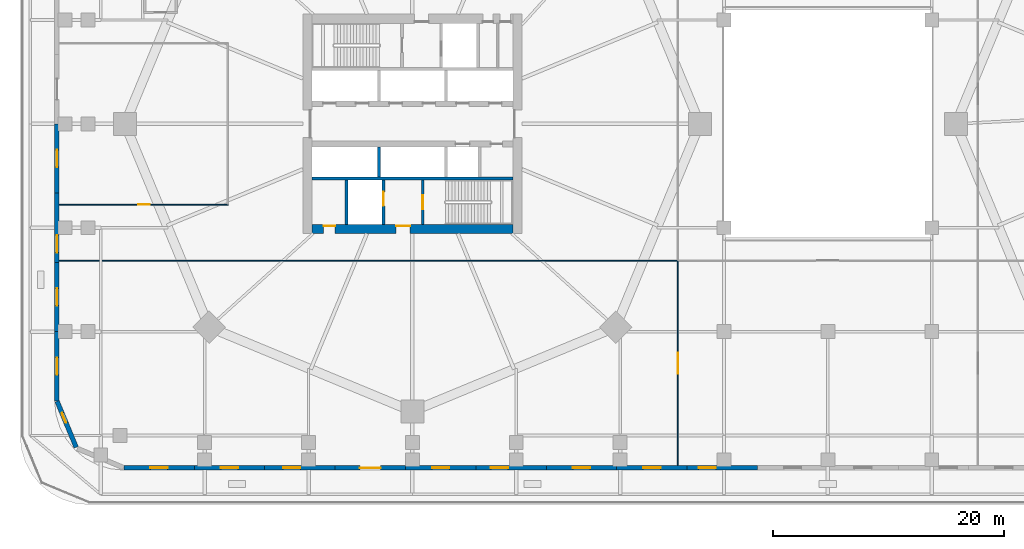
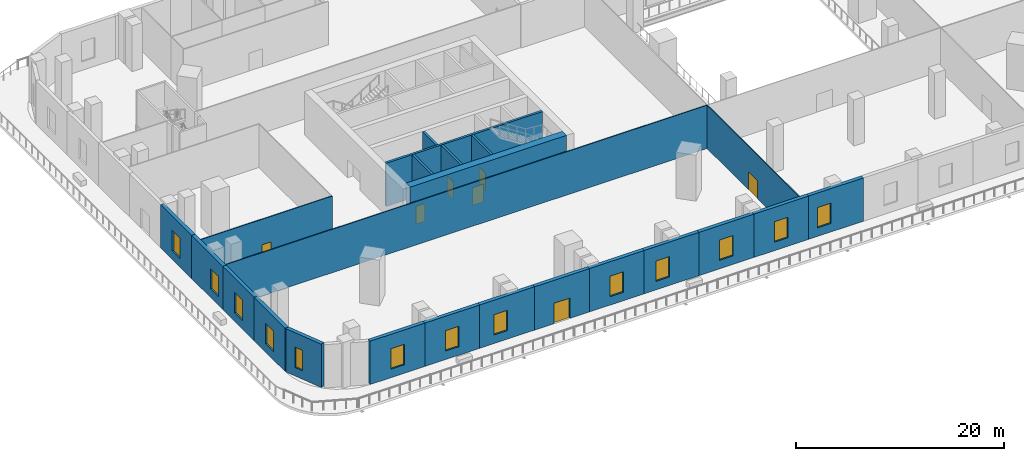
# One storey, part 4 of 19: 23 walls, 13 windows, 7 doors, 20 openings.
"""IFC4 building model written with IfcOpenShell, lengths in metres."""

from ifc_helpers import new_model, si_unit, direction, frame, frame_2d, origin, place, context, subcontext, project, spatial, rectangle, extrude, material, layer, layer_set, type_object, element, fill, save


model = new_model("IFC4")

# Units and contexts
model_context = context("Model", 3, precision=1e-05, world=origin(), true_north=direction((0.0, 1.0)))
body_context = subcontext(model_context, "Body", "Model", "MODEL_VIEW")
ifc_project = project(units=[si_unit("LENGTHUNIT", "METRE"), si_unit("AREAUNIT", "SQUARE_METRE"), si_unit("VOLUMEUNIT", "CUBIC_METRE"), si_unit("PLANEANGLEUNIT", "RADIAN"), si_unit("MASSUNIT", "GRAM", prefix="KILO")], contexts=[model_context])

# Site, building, storey
site_placement = place(None, origin())
site = spatial("IfcSite", under=ifc_project, at=site_placement, CompositionType="ELEMENT")
building_placement = place(site_placement, origin())
building = spatial("IfcBuilding", under=site, at=building_placement, Name="Ogive Gate Towers", CompositionType="ELEMENT")
storey_placement = place(building_placement, frame((0.0, 0.0, 12.60009765625)))
storey = spatial("IfcBuildingStorey", under=building, at=storey_placement, Name="L02", CompositionType="ELEMENT", Elevation=12.60009765625)

# Wall, openings, doors
ifc_material_1 = material(Name="Concrete C60/75", Category="concrete")
ifc_layer_1 = layer(ifc_material_1, 0.800048828125)
ifc_layer_set_1 = layer_set([ifc_layer_1], Name="Core wall 800 mm")
wall_type_1 = type_object("IfcWallType", Name="Core wall 800 mm", PredefinedType="SHEAR", material=ifc_layer_set_1)
wall_1_placement = place(storey_placement, frame((-44.699951171875, -9.10009765625, 0.0), z_axis=(0.0, 0.0, 1.0), x_axis=(1.0, 0.0, 0.0)))
wall_1 = element("IfcWall", 1, at=wall_1_placement, inside=storey, type_object=wall_type_1, Name="T1 L02 Core wall 800 mm", PredefinedType="SHEAR", context=body_context, shape_type="SweptSolid", body=[
    extrude(rectangle(XDim=17.39990234375, YDim=0.800048828125, at=frame_2d((8.699951171875, 0.0))), origin(), (0.0, 0.0, 1.0), 5.099853515625),
])
opening_1_placement = place(wall_1_placement, frame((7.300048828125, 0.0, 0.0)))
opening_1 = element("IfcOpeningElement", 2, at=opening_1_placement, cuts=wall_1, Name="Opening KD-T1-L02-16", PredefinedType="OPENING", context=body_context, shape_type="SweptSolid", body=[
    extrude(rectangle(XDim=1.199951171875, YDim=2.10009765625, at=frame_2d((0.60009765625, 1.050048828125))), frame((0.0, 0.41015625, 0.0), z_axis=(0.0, -1.0, 0.0), x_axis=(1.0, 0.0, 0.0)), (0.0, 0.0, 1.0), 0.820068359375),
])
opening_2_placement = place(wall_1_placement, frame((1.0, 0.0, 0.0)))
opening_2 = element("IfcOpeningElement", 3, at=opening_2_placement, cuts=wall_1, Name="Opening KD-T1-L02-19", PredefinedType="OPENING", context=body_context, shape_type="SweptSolid", body=[
    extrude(rectangle(XDim=1.0, YDim=2.10009765625, at=frame_2d((0.5, 1.050048828125))), frame((0.0, 0.41015625, 0.0), z_axis=(0.0, -1.0, 0.0), x_axis=(1.0, 0.0, 0.0)), (0.0, 0.0, 1.0), 0.820068359375),
])
ifc_material_2 = material(Name="Timber door", Category="wood")
door_type_1 = type_object("IfcDoorType", Name="Accessible WC door 1000 x 2100", OperationType="NOTDEFINED", PredefinedType="DOOR", material=ifc_material_2)
door_1_placement = place(opening_2_placement, origin())
door_1 = element("IfcDoor", 4, at=door_1_placement, inside=storey, type_object=door_type_1, Name="T1 L02 Core door", OperationType="SINGLE_SWING_RIGHT", OverallHeight=2.10009765625, OverallWidth=1.0, PredefinedType="DOOR", context=body_context, shape_type="SweptSolid", body=[
    extrude(rectangle(XDim=1.0, YDim=2.10009765625, at=frame_2d((0.5, 1.050048828125))), frame((0.0, 0.27490234375, 0.0), z_axis=(0.0, -1.0, 0.0), x_axis=(1.0, 0.0, 0.0)), (0.0, 0.0, 1.0), 0.050048828125),
])
fill(opening_2, door_1)
ifc_material_3 = material(Name="Steel fire door", Category="steel")
door_type_2 = type_object("IfcDoorType", Name="Core door FD60S 1200 x 2100", OperationType="NOTDEFINED", PredefinedType="DOOR", material=ifc_material_3)
door_2_placement = place(opening_1_placement, origin())
door_2 = element("IfcDoor", 5, at=door_2_placement, inside=storey, type_object=door_type_2, Name="T1 L02 Fire-fighting lobby door", OperationType="SINGLE_SWING_LEFT", OverallHeight=2.10009765625, OverallWidth=1.199951171875, PredefinedType="DOOR", context=body_context, shape_type="SweptSolid", body=[
    extrude(rectangle(XDim=1.199951171875, YDim=2.10009765625, at=frame_2d((0.60009765625, 1.050048828125))), frame((0.0, 0.27490234375, 0.0), z_axis=(0.0, -1.0, 0.0), x_axis=(1.0, 0.0, 0.0)), (0.0, 0.0, 1.0), 0.050048828125),
])
fill(opening_1, door_2)

# Wall, opening, door
ifc_material_4 = material(Name="Gypsum board partition")
ifc_layer_2 = layer(ifc_material_4, 0.10009765625)
ifc_layer_set_2 = layer_set([ifc_layer_2], Name="Partition wall 100")
wall_type_2 = type_object("IfcWallType", Name="Partition wall 100", PredefinedType="PARTITIONING", material=ifc_layer_set_2)
wall_2_placement = place(storey_placement, frame((-13.0, -29.60009765625, 0.0), z_axis=(0.0, 0.0, 1.0), x_axis=(0.0, 1.0, 0.0)))
wall_2 = element("IfcWall", 6, at=wall_2_placement, inside=storey, type_object=wall_type_2, Name="L02 partition 052", PredefinedType="PARTITIONING", context=body_context, shape_type="SweptSolid", body=[
    extrude(rectangle(XDim=17.7001953125, YDim=0.10009765625, at=frame_2d((8.85009765625, 0.0))), origin(), (0.0, 0.0, 1.0), 5.099853515625),
])
opening_3_placement = place(wall_2_placement, frame((7.949951171875, 0.0, 0.0)))
opening_3 = element("IfcOpeningElement", 7, at=opening_3_placement, cuts=wall_2, Name="Opening PO172", PredefinedType="OPENING", context=body_context, shape_type="SweptSolid", body=[
    extrude(rectangle(XDim=1.800048828125, YDim=2.10009765625, at=frame_2d((0.89990234375, 1.050048828125))), frame((0.0, 0.06005859375, 0.0), z_axis=(0.0, -1.0, 0.0), x_axis=(1.0, 0.0, 0.0)), (0.0, 0.0, 1.0), 0.1201171875),
])
door_type_3 = type_object("IfcDoorType", Name="Double door 1800 x 2100", OperationType="NOTDEFINED", PredefinedType="DOOR", material=ifc_material_2)
door_3_placement = place(opening_3_placement, origin())
door_3 = element("IfcDoor", 8, at=door_3_placement, inside=storey, type_object=door_type_3, Name="Door PO172", OperationType="DOUBLE_DOOR_DOUBLE_SWING", OverallHeight=2.10009765625, OverallWidth=1.800048828125, PredefinedType="DOOR", context=body_context, shape_type="SweptSolid", body=[
    extrude(rectangle(XDim=1.800048828125, YDim=2.10009765625, at=frame_2d((0.89990234375, 1.050048828125))), frame((0.0, 0.02490234375, 0.0), z_axis=(0.0, -1.0, 0.0), x_axis=(1.0, 0.0, 0.0)), (0.0, 0.0, 1.0), 0.050048828125),
])
fill(opening_3, door_3)

# Wall
wall_3_placement = place(storey_placement, frame((-66.60009765625, -11.85009765625, 0.0), z_axis=(0.0, 0.0, 1.0), x_axis=(1.0, 0.0, 0.0)))
element("IfcWall", 9, at=wall_3_placement, inside=storey, type_object=wall_type_2, Name="L02 partition 054", PredefinedType="PARTITIONING", context=body_context, shape_type="SweptSolid", body=[
    extrude(rectangle(XDim=53.60009765625, YDim=0.10009765625, at=frame_2d((26.800048828125, 0.0))), origin(), (0.0, 0.0, 1.0), 5.099853515625),
])

# Wall, opening, door
wall_4_placement = place(storey_placement, frame((-66.60009765625, -7.0, 0.0), z_axis=(0.0, 0.0, 1.0), x_axis=(1.0, 0.0, 0.0)))
wall_4 = element("IfcWall", 10, at=wall_4_placement, inside=storey, type_object=wall_type_2, Name="L02 partition 058", PredefinedType="PARTITIONING", context=body_context, shape_type="SweptSolid", body=[
    extrude(rectangle(XDim=14.650146484375, YDim=0.10009765625, at=frame_2d((7.3251953125, 0.0))), origin(), (0.0, 0.0, 1.0), 5.099853515625),
])
opening_4_placement = place(wall_4_placement, frame((6.824951171875, 0.0, 0.0)))
opening_4 = element("IfcOpeningElement", 11, at=opening_4_placement, cuts=wall_4, Name="Opening PO174", PredefinedType="OPENING", context=body_context, shape_type="SweptSolid", body=[
    extrude(rectangle(XDim=1.0, YDim=2.10009765625, at=frame_2d((0.5, 1.050048828125))), frame((0.0, 0.06005859375, 0.0), z_axis=(0.0, -1.0, 0.0), x_axis=(1.0, 0.0, 0.0)), (0.0, 0.0, 1.0), 0.1201171875),
])
door_type_4 = type_object("IfcDoorType", Name="Door 1000 x 2100", OperationType="NOTDEFINED", PredefinedType="DOOR", material=ifc_material_2)
door_4_placement = place(opening_4_placement, origin())
door_4 = element("IfcDoor", 12, at=door_4_placement, inside=storey, type_object=door_type_4, Name="Door PO174", OperationType="SINGLE_SWING_RIGHT", OverallHeight=2.10009765625, OverallWidth=1.0, PredefinedType="DOOR", context=body_context, shape_type="SweptSolid", body=[
    extrude(rectangle(XDim=1.0, YDim=2.10009765625, at=frame_2d((0.5, 1.050048828125))), frame((0.0, 0.02490234375, 0.0), z_axis=(0.0, -1.0, 0.0), x_axis=(1.0, 0.0, 0.0)), (0.0, 0.0, 1.0), 0.050048828125),
])
fill(opening_4, door_4)

# Wall, opening, window
ifc_material_5 = material(Name="Precast concrete C40/50", Category="concrete")
ifc_layer_3 = layer(ifc_material_5, 0.39990234375)
ifc_layer_set_3 = layer_set([ifc_layer_3], Name="Podium wall 400")
wall_type_3 = type_object("IfcWallType", Name="Podium wall 400", PredefinedType="SOLIDWALL", material=ifc_layer_set_3)
wall_5_placement = place(storey_placement, frame((-66.800048828125, 0.0, 0.0), z_axis=(0.0, 0.0, 1.0), x_axis=(0.0, -1.0, 0.0)))
wall_5 = element("IfcWall", 13, at=wall_5_placement, inside=storey, type_object=wall_type_3, Name="Podium wall", PredefinedType="SOLIDWALL", context=body_context, shape_type="SweptSolid", body=[
    extrude(rectangle(XDim=6.0, YDim=0.39990234375, at=frame_2d((3.0, 0.0))), origin(), (0.0, 0.0, 1.0), 5.099853515625),
])
opening_5_placement = place(wall_5_placement, frame((2.25, 0.0, 1.0)))
opening_5 = element("IfcOpeningElement", 14, at=opening_5_placement, cuts=wall_5, Name="Opening WN2", PredefinedType="OPENING", context=body_context, shape_type="SweptSolid", body=[
    extrude(rectangle(XDim=1.5, YDim=2.39990234375, at=frame_2d((0.75, 1.199951171875))), frame((0.0, 0.2099609375, 0.0), z_axis=(0.0, -1.0, 0.0), x_axis=(1.0, 0.0, 0.0)), (0.0, 0.0, 1.0), 0.419921875),
])
ifc_material_6 = material(Name="Clear glass", Category="glass")
window_type_1 = type_object("IfcWindowType", Name="Podium window 1500 x 2400", PartitioningType="SINGLE_PANEL", PredefinedType="WINDOW", material=ifc_material_6)
window_1_placement = place(opening_5_placement, origin())
window_1 = element("IfcWindow", 15, at=window_1_placement, inside=storey, type_object=window_type_1, Name="Podium window", OverallHeight=2.39990234375, OverallWidth=1.5, PartitioningType="SINGLE_PANEL", PredefinedType="WINDOW", context=body_context, shape_type="SweptSolid", body=[
    extrude(rectangle(XDim=1.5, YDim=2.39990234375, at=frame_2d((0.75, 1.199951171875))), frame((0.0, 0.030029296875, 0.0), z_axis=(0.0, -1.0, 0.0), x_axis=(1.0, 0.0, 0.0)), (0.0, 0.0, 1.0), 0.06005859375),
])
fill(opening_5, window_1)

wall_6_placement = place(storey_placement, frame((-66.800048828125, -6.0, 0.0), z_axis=(0.0, 0.0, 1.0), x_axis=(0.0, -1.0, 0.0)))
wall_6 = element("IfcWall", 16, at=wall_6_placement, inside=storey, type_object=wall_type_3, Name="Podium wall", PredefinedType="SOLIDWALL", context=body_context, shape_type="SweptSolid", body=[
    extrude(rectangle(XDim=6.0, YDim=0.39990234375, at=frame_2d((3.0, 0.0))), origin(), (0.0, 0.0, 1.0), 5.099853515625),
])
opening_6_placement = place(wall_6_placement, frame((3.64990234375, 0.0, 1.0)))
opening_6 = element("IfcOpeningElement", 17, at=opening_6_placement, cuts=wall_6, Name="Opening WN2", PredefinedType="OPENING", context=body_context, shape_type="SweptSolid", body=[
    extrude(rectangle(XDim=1.5, YDim=2.39990234375, at=frame_2d((0.75, 1.199951171875))), frame((0.0, 0.2099609375, 0.0), z_axis=(0.0, -1.0, 0.0), x_axis=(1.0, 0.0, 0.0)), (0.0, 0.0, 1.0), 0.419921875),
])
window_2_placement = place(opening_6_placement, origin())
window_2 = element("IfcWindow", 18, at=window_2_placement, inside=storey, type_object=window_type_1, Name="Podium window", OverallHeight=2.39990234375, OverallWidth=1.5, PartitioningType="SINGLE_PANEL", PredefinedType="WINDOW", context=body_context, shape_type="SweptSolid", body=[
    extrude(rectangle(XDim=1.5, YDim=2.39990234375, at=frame_2d((0.75, 1.199951171875))), frame((0.0, 0.030029296875, 0.0), z_axis=(0.0, -1.0, 0.0), x_axis=(1.0, 0.0, 0.0)), (0.0, 0.0, 1.0), 0.06005859375),
])
fill(opening_6, window_2)

wall_7_placement = place(storey_placement, frame((-66.800048828125, -12.0, 0.0), z_axis=(0.0, 0.0, 1.0), x_axis=(0.0, -1.0, 0.0)))
wall_7 = element("IfcWall", 19, at=wall_7_placement, inside=storey, type_object=wall_type_3, Name="Podium wall", PredefinedType="SOLIDWALL", context=body_context, shape_type="SweptSolid", body=[
    extrude(rectangle(XDim=6.0, YDim=0.39990234375, at=frame_2d((3.0, 0.0))), origin(), (0.0, 0.0, 1.0), 5.099853515625),
])
opening_7_placement = place(wall_7_placement, frame((2.25, 0.0, 1.0)))
opening_7 = element("IfcOpeningElement", 20, at=opening_7_placement, cuts=wall_7, Name="Opening WN2", PredefinedType="OPENING", context=body_context, shape_type="SweptSolid", body=[
    extrude(rectangle(XDim=1.5, YDim=2.39990234375, at=frame_2d((0.75, 1.199951171875))), frame((0.0, 0.2099609375, 0.0), z_axis=(0.0, -1.0, 0.0), x_axis=(1.0, 0.0, 0.0)), (0.0, 0.0, 1.0), 0.419921875),
])
window_3_placement = place(opening_7_placement, origin())
window_3 = element("IfcWindow", 21, at=window_3_placement, inside=storey, type_object=window_type_1, Name="Podium window", OverallHeight=2.39990234375, OverallWidth=1.5, PartitioningType="SINGLE_PANEL", PredefinedType="WINDOW", context=body_context, shape_type="SweptSolid", body=[
    extrude(rectangle(XDim=1.5, YDim=2.39990234375, at=frame_2d((0.75, 1.199951171875))), frame((0.0, 0.030029296875, 0.0), z_axis=(0.0, -1.0, 0.0), x_axis=(1.0, 0.0, 0.0)), (0.0, 0.0, 1.0), 0.06005859375),
])
fill(opening_7, window_3)

wall_8_placement = place(storey_placement, frame((-66.800048828125, -18.0, 0.0), z_axis=(0.0, 0.0, 1.0), x_axis=(0.0, -1.0, 0.0)))
wall_8 = element("IfcWall", 22, at=wall_8_placement, inside=storey, type_object=wall_type_3, Name="Podium wall", PredefinedType="SOLIDWALL", context=body_context, shape_type="SweptSolid", body=[
    extrude(rectangle(XDim=6.0, YDim=0.39990234375, at=frame_2d((3.0, 0.0))), origin(), (0.0, 0.0, 1.0), 5.099853515625),
])
opening_8_placement = place(wall_8_placement, frame((2.25, 0.0, 1.0)))
opening_8 = element("IfcOpeningElement", 23, at=opening_8_placement, cuts=wall_8, Name="Opening WN2", PredefinedType="OPENING", context=body_context, shape_type="SweptSolid", body=[
    extrude(rectangle(XDim=1.5, YDim=2.39990234375, at=frame_2d((0.75, 1.199951171875))), frame((0.0, 0.2099609375, 0.0), z_axis=(0.0, -1.0, 0.0), x_axis=(1.0, 0.0, 0.0)), (0.0, 0.0, 1.0), 0.419921875),
])
window_4_placement = place(opening_8_placement, origin())
window_4 = element("IfcWindow", 24, at=window_4_placement, inside=storey, type_object=window_type_1, Name="Podium window", OverallHeight=2.39990234375, OverallWidth=1.5, PartitioningType="SINGLE_PANEL", PredefinedType="WINDOW", context=body_context, shape_type="SweptSolid", body=[
    extrude(rectangle(XDim=1.5, YDim=2.39990234375, at=frame_2d((0.75, 1.199951171875))), frame((0.0, 0.030029296875, 0.0), z_axis=(0.0, -1.0, 0.0), x_axis=(1.0, 0.0, 0.0)), (0.0, 0.0, 1.0), 0.06005859375),
])
fill(opening_8, window_4)

wall_9_placement = place(storey_placement, frame((-66.784912109375, -24.036865234375, 0.0), z_axis=(0.0, 0.0, 1.0), x_axis=(0.382743086333, -0.923854820772, 0.0)))
wall_9 = element("IfcWall", 25, at=wall_9_placement, inside=storey, type_object=wall_type_3, Name="Podium wall", PredefinedType="SOLIDWALL", context=body_context, shape_type="SweptSolid", body=[
    extrude(rectangle(XDim=4.31640625, YDim=0.39990234375, at=frame_2d((2.158203125, 0.0))), origin(), (0.0, 0.0, 1.0), 5.099853515625),
])
opening_9_placement = place(wall_9_placement, frame((1.1083984375, 0.0, 1.0)))
opening_9 = element("IfcOpeningElement", 26, at=opening_9_placement, cuts=wall_9, Name="Opening WN5", PredefinedType="OPENING", context=body_context, shape_type="SweptSolid", body=[
    extrude(rectangle(XDim=0.89990234375, YDim=2.39990234375, at=frame_2d((0.449951171875, 1.199951171875))), frame((0.0, 0.2099609375, 0.0), z_axis=(0.0, -1.0, 0.0), x_axis=(1.0, 0.0, 0.0)), (0.0, 0.0, 1.0), 0.419921875),
])
window_type_2 = type_object("IfcWindowType", Name="Narrow window 900 x 2400", PartitioningType="SINGLE_PANEL", PredefinedType="WINDOW", material=ifc_material_6)
window_5_placement = place(opening_9_placement, origin())
window_5 = element("IfcWindow", 27, at=window_5_placement, inside=storey, type_object=window_type_2, Name="Podium window", OverallHeight=2.39990234375, OverallWidth=0.89990234375, PartitioningType="SINGLE_PANEL", PredefinedType="WINDOW", context=body_context, shape_type="SweptSolid", body=[
    extrude(rectangle(XDim=0.89990234375, YDim=2.39990234375, at=frame_2d((0.449951171875, 1.199951171875))), frame((0.0, 0.030029296875, 0.0), z_axis=(0.0, -1.0, 0.0), x_axis=(1.0, 0.0, 0.0)), (0.0, 0.0, 1.0), 0.06005859375),
])
fill(opening_9, window_5)

wall_10_placement = place(storey_placement, frame((-61.0, -29.800048828125, 0.0), z_axis=(0.0, 0.0, 1.0), x_axis=(1.0, 0.0, 0.0)))
wall_10 = element("IfcWall", 28, at=wall_10_placement, inside=storey, type_object=wall_type_3, Name="Podium wall", PredefinedType="SOLIDWALL", context=body_context, shape_type="SweptSolid", body=[
    extrude(rectangle(XDim=6.10009765625, YDim=0.39990234375, at=frame_2d((3.050048828125, 0.0))), origin(), (0.0, 0.0, 1.0), 5.099853515625),
])
opening_10_placement = place(wall_10_placement, frame((2.300048828125, 0.0, 1.0)))
opening_10 = element("IfcOpeningElement", 29, at=opening_10_placement, cuts=wall_10, Name="Opening WN2", PredefinedType="OPENING", context=body_context, shape_type="SweptSolid", body=[
    extrude(rectangle(XDim=1.5, YDim=2.39990234375, at=frame_2d((0.75, 1.199951171875))), frame((0.0, 0.2099609375, 0.0), z_axis=(0.0, -1.0, 0.0), x_axis=(1.0, 0.0, 0.0)), (0.0, 0.0, 1.0), 0.419921875),
])
window_6_placement = place(opening_10_placement, origin())
window_6 = element("IfcWindow", 30, at=window_6_placement, inside=storey, type_object=window_type_1, Name="Podium window", OverallHeight=2.39990234375, OverallWidth=1.5, PartitioningType="SINGLE_PANEL", PredefinedType="WINDOW", context=body_context, shape_type="SweptSolid", body=[
    extrude(rectangle(XDim=1.5, YDim=2.39990234375, at=frame_2d((0.75, 1.199951171875))), frame((0.0, 0.030029296875, 0.0), z_axis=(0.0, -1.0, 0.0), x_axis=(1.0, 0.0, 0.0)), (0.0, 0.0, 1.0), 0.06005859375),
])
fill(opening_10, window_6)

wall_11_placement = place(storey_placement, frame((-54.89990234375, -29.800048828125, 0.0), z_axis=(0.0, 0.0, 1.0), x_axis=(1.0, 0.0, 0.0)))
wall_11 = element("IfcWall", 31, at=wall_11_placement, inside=storey, type_object=wall_type_3, Name="Podium wall", PredefinedType="SOLIDWALL", context=body_context, shape_type="SweptSolid", body=[
    extrude(rectangle(XDim=6.099853515625, YDim=0.39990234375, at=frame_2d((3.0498046875, 0.0))), origin(), (0.0, 0.0, 1.0), 5.099853515625),
])
opening_11_placement = place(wall_11_placement, frame((2.300048828125, 0.0, 1.0)))
opening_11 = element("IfcOpeningElement", 32, at=opening_11_placement, cuts=wall_11, Name="Opening WN2", PredefinedType="OPENING", context=body_context, shape_type="SweptSolid", body=[
    extrude(rectangle(XDim=1.5, YDim=2.39990234375, at=frame_2d((0.75, 1.199951171875))), frame((0.0, 0.2099609375, 0.0), z_axis=(0.0, -1.0, 0.0), x_axis=(1.0, 0.0, 0.0)), (0.0, 0.0, 1.0), 0.419921875),
])
window_7_placement = place(opening_11_placement, origin())
window_7 = element("IfcWindow", 33, at=window_7_placement, inside=storey, type_object=window_type_1, Name="Podium window", OverallHeight=2.39990234375, OverallWidth=1.5, PartitioningType="SINGLE_PANEL", PredefinedType="WINDOW", context=body_context, shape_type="SweptSolid", body=[
    extrude(rectangle(XDim=1.5, YDim=2.39990234375, at=frame_2d((0.75, 1.199951171875))), frame((0.0, 0.030029296875, 0.0), z_axis=(0.0, -1.0, 0.0), x_axis=(1.0, 0.0, 0.0)), (0.0, 0.0, 1.0), 0.06005859375),
])
fill(opening_11, window_7)

wall_12_placement = place(storey_placement, frame((-48.800048828125, -29.800048828125, 0.0), z_axis=(0.0, 0.0, 1.0), x_axis=(1.0, 0.0, 0.0)))
wall_12 = element("IfcWall", 34, at=wall_12_placement, inside=storey, type_object=wall_type_3, Name="Podium wall", PredefinedType="SOLIDWALL", context=body_context, shape_type="SweptSolid", body=[
    extrude(rectangle(XDim=6.10009765625, YDim=0.39990234375, at=frame_2d((3.050048828125, 0.0))), origin(), (0.0, 0.0, 1.0), 5.099853515625),
])
opening_12_placement = place(wall_12_placement, frame((1.60009765625, 0.0, 1.0)))
opening_12 = element("IfcOpeningElement", 35, at=opening_12_placement, cuts=wall_12, Name="Opening WN2", PredefinedType="OPENING", context=body_context, shape_type="SweptSolid", body=[
    extrude(rectangle(XDim=1.5, YDim=2.39990234375, at=frame_2d((0.75, 1.199951171875))), frame((0.0, 0.2099609375, 0.0), z_axis=(0.0, -1.0, 0.0), x_axis=(1.0, 0.0, 0.0)), (0.0, 0.0, 1.0), 0.419921875),
])
window_8_placement = place(opening_12_placement, origin())
window_8 = element("IfcWindow", 36, at=window_8_placement, inside=storey, type_object=window_type_1, Name="Podium window", OverallHeight=2.39990234375, OverallWidth=1.5, PartitioningType="SINGLE_PANEL", PredefinedType="WINDOW", context=body_context, shape_type="SweptSolid", body=[
    extrude(rectangle(XDim=1.5, YDim=2.39990234375, at=frame_2d((0.75, 1.199951171875))), frame((0.0, 0.030029296875, 0.0), z_axis=(0.0, -1.0, 0.0), x_axis=(1.0, 0.0, 0.0)), (0.0, 0.0, 1.0), 0.06005859375),
])
fill(opening_12, window_8)

# Wall, opening, door
wall_13_placement = place(storey_placement, frame((-42.699951171875, -29.800048828125, 0.0), z_axis=(0.0, 0.0, 1.0), x_axis=(1.0, 0.0, 0.0)))
wall_13 = element("IfcWall", 37, at=wall_13_placement, inside=storey, type_object=wall_type_3, Name="Podium wall", PredefinedType="SOLIDWALL", context=body_context, shape_type="SweptSolid", body=[
    extrude(rectangle(XDim=6.099853515625, YDim=0.39990234375, at=frame_2d((3.0498046875, 0.0))), origin(), (0.0, 0.0, 1.0), 5.099853515625),
])
opening_13_placement = place(wall_13_placement, frame((2.14990234375, 0.0, 0.0)))
opening_13 = element("IfcOpeningElement", 38, at=opening_13_placement, cuts=wall_13, Name="Opening ED3-L02-05", PredefinedType="OPENING", context=body_context, shape_type="SweptSolid", body=[
    extrude(rectangle(XDim=1.800048828125, YDim=2.39990234375, at=frame_2d((0.89990234375, 1.199951171875))), frame((0.0, 0.2099609375, 0.0), z_axis=(0.0, -1.0, 0.0), x_axis=(1.0, 0.0, 0.0)), (0.0, 0.0, 1.0), 0.419921875),
])
ifc_material_7 = material(Name="Pale metal aluminium", Category="aluminium")
door_type_5 = type_object("IfcDoorType", Name="Terrace door 1800 x 2400", OperationType="DOUBLE_DOOR_SINGLE_SWING", PredefinedType="DOOR", material=ifc_material_7)
door_5_placement = place(opening_13_placement, origin())
door_5 = element("IfcDoor", 39, at=door_5_placement, inside=storey, type_object=door_type_5, Name="Exterior door", OperationType="SINGLE_SWING_LEFT", OverallHeight=2.39990234375, OverallWidth=1.800048828125, PredefinedType="DOOR", context=body_context, shape_type="SweptSolid", body=[
    extrude(rectangle(XDim=1.800048828125, YDim=2.39990234375, at=frame_2d((0.89990234375, 1.199951171875))), frame((0.0, 0.02490234375, 0.0), z_axis=(0.0, -1.0, 0.0), x_axis=(1.0, 0.0, 0.0)), (0.0, 0.0, 1.0), 0.050048828125),
])
fill(opening_13, door_5)

# Wall, opening, window
wall_14_placement = place(storey_placement, frame((-36.60009765625, -29.800048828125, 0.0), z_axis=(0.0, 0.0, 1.0), x_axis=(1.0, 0.0, 0.0)))
wall_14 = element("IfcWall", 40, at=wall_14_placement, inside=storey, type_object=wall_type_3, Name="Podium wall", PredefinedType="SOLIDWALL", context=body_context, shape_type="SweptSolid", body=[
    extrude(rectangle(XDim=6.10009765625, YDim=0.39990234375, at=frame_2d((3.050048828125, 0.0))), origin(), (0.0, 0.0, 1.0), 5.099853515625),
])
opening_14_placement = place(wall_14_placement, frame((2.300048828125, 0.0, 1.0)))
opening_14 = element("IfcOpeningElement", 41, at=opening_14_placement, cuts=wall_14, Name="Opening WN2", PredefinedType="OPENING", context=body_context, shape_type="SweptSolid", body=[
    extrude(rectangle(XDim=1.5, YDim=2.39990234375, at=frame_2d((0.75, 1.199951171875))), frame((0.0, 0.2099609375, 0.0), z_axis=(0.0, -1.0, 0.0), x_axis=(1.0, 0.0, 0.0)), (0.0, 0.0, 1.0), 0.419921875),
])
window_9_placement = place(opening_14_placement, origin())
window_9 = element("IfcWindow", 42, at=window_9_placement, inside=storey, type_object=window_type_1, Name="Podium window", OverallHeight=2.39990234375, OverallWidth=1.5, PartitioningType="SINGLE_PANEL", PredefinedType="WINDOW", context=body_context, shape_type="SweptSolid", body=[
    extrude(rectangle(XDim=1.5, YDim=2.39990234375, at=frame_2d((0.75, 1.199951171875))), frame((0.0, 0.030029296875, 0.0), z_axis=(0.0, -1.0, 0.0), x_axis=(1.0, 0.0, 0.0)), (0.0, 0.0, 1.0), 0.06005859375),
])
fill(opening_14, window_9)

wall_15_placement = place(storey_placement, frame((-30.5, -29.800048828125, 0.0), z_axis=(0.0, 0.0, 1.0), x_axis=(1.0, 0.0, 0.0)))
wall_15 = element("IfcWall", 43, at=wall_15_placement, inside=storey, type_object=wall_type_3, Name="Podium wall", PredefinedType="SOLIDWALL", context=body_context, shape_type="SweptSolid", body=[
    extrude(rectangle(XDim=6.10009765625, YDim=0.39990234375, at=frame_2d((3.050048828125, 0.0))), origin(), (0.0, 0.0, 1.0), 5.099853515625),
])
opening_15_placement = place(wall_15_placement, frame((1.300048828125, 0.0, 1.0)))
opening_15 = element("IfcOpeningElement", 44, at=opening_15_placement, cuts=wall_15, Name="Opening WN2", PredefinedType="OPENING", context=body_context, shape_type="SweptSolid", body=[
    extrude(rectangle(XDim=1.5, YDim=2.39990234375, at=frame_2d((0.75, 1.199951171875))), frame((0.0, 0.2099609375, 0.0), z_axis=(0.0, -1.0, 0.0), x_axis=(1.0, 0.0, 0.0)), (0.0, 0.0, 1.0), 0.419921875),
])
window_10_placement = place(opening_15_placement, origin())
window_10 = element("IfcWindow", 45, at=window_10_placement, inside=storey, type_object=window_type_1, Name="Podium window", OverallHeight=2.39990234375, OverallWidth=1.5, PartitioningType="SINGLE_PANEL", PredefinedType="WINDOW", context=body_context, shape_type="SweptSolid", body=[
    extrude(rectangle(XDim=1.5, YDim=2.39990234375, at=frame_2d((0.75, 1.199951171875))), frame((0.0, 0.030029296875, 0.0), z_axis=(0.0, -1.0, 0.0), x_axis=(1.0, 0.0, 0.0)), (0.0, 0.0, 1.0), 0.06005859375),
])
fill(opening_15, window_10)

wall_16_placement = place(storey_placement, frame((-24.39990234375, -29.800048828125, 0.0), z_axis=(0.0, 0.0, 1.0), x_axis=(1.0, 0.0, 0.0)))
wall_16 = element("IfcWall", 46, at=wall_16_placement, inside=storey, type_object=wall_type_3, Name="Podium wall", PredefinedType="SOLIDWALL", context=body_context, shape_type="SweptSolid", body=[
    extrude(rectangle(XDim=6.099853515625, YDim=0.39990234375, at=frame_2d((3.0498046875, 0.0))), origin(), (0.0, 0.0, 1.0), 5.099853515625),
])
opening_16_placement = place(wall_16_placement, frame((2.300048828125, 0.0, 1.0)))
opening_16 = element("IfcOpeningElement", 47, at=opening_16_placement, cuts=wall_16, Name="Opening WN2", PredefinedType="OPENING", context=body_context, shape_type="SweptSolid", body=[
    extrude(rectangle(XDim=1.5, YDim=2.39990234375, at=frame_2d((0.75, 1.199951171875))), frame((0.0, 0.2099609375, 0.0), z_axis=(0.0, -1.0, 0.0), x_axis=(1.0, 0.0, 0.0)), (0.0, 0.0, 1.0), 0.419921875),
])
window_11_placement = place(opening_16_placement, origin())
window_11 = element("IfcWindow", 48, at=window_11_placement, inside=storey, type_object=window_type_1, Name="Podium window", OverallHeight=2.39990234375, OverallWidth=1.5, PartitioningType="SINGLE_PANEL", PredefinedType="WINDOW", context=body_context, shape_type="SweptSolid", body=[
    extrude(rectangle(XDim=1.5, YDim=2.39990234375, at=frame_2d((0.75, 1.199951171875))), frame((0.0, 0.030029296875, 0.0), z_axis=(0.0, -1.0, 0.0), x_axis=(1.0, 0.0, 0.0)), (0.0, 0.0, 1.0), 0.06005859375),
])
fill(opening_16, window_11)

wall_17_placement = place(storey_placement, frame((-18.300048828125, -29.800048828125, 0.0), z_axis=(0.0, 0.0, 1.0), x_axis=(1.0, 0.0, 0.0)))
wall_17 = element("IfcWall", 49, at=wall_17_placement, inside=storey, type_object=wall_type_3, Name="Podium wall", PredefinedType="SOLIDWALL", context=body_context, shape_type="SweptSolid", body=[
    extrude(rectangle(XDim=6.10009765625, YDim=0.39990234375, at=frame_2d((3.050048828125, 0.0))), origin(), (0.0, 0.0, 1.0), 5.099853515625),
])
opening_17_placement = place(wall_17_placement, frame((2.300048828125, 0.0, 1.0)))
opening_17 = element("IfcOpeningElement", 50, at=opening_17_placement, cuts=wall_17, Name="Opening WN2", PredefinedType="OPENING", context=body_context, shape_type="SweptSolid", body=[
    extrude(rectangle(XDim=1.5, YDim=2.39990234375, at=frame_2d((0.75, 1.199951171875))), frame((0.0, 0.2099609375, 0.0), z_axis=(0.0, -1.0, 0.0), x_axis=(1.0, 0.0, 0.0)), (0.0, 0.0, 1.0), 0.419921875),
])
window_12_placement = place(opening_17_placement, origin())
window_12 = element("IfcWindow", 51, at=window_12_placement, inside=storey, type_object=window_type_1, Name="Podium window", OverallHeight=2.39990234375, OverallWidth=1.5, PartitioningType="SINGLE_PANEL", PredefinedType="WINDOW", context=body_context, shape_type="SweptSolid", body=[
    extrude(rectangle(XDim=1.5, YDim=2.39990234375, at=frame_2d((0.75, 1.199951171875))), frame((0.0, 0.030029296875, 0.0), z_axis=(0.0, -1.0, 0.0), x_axis=(1.0, 0.0, 0.0)), (0.0, 0.0, 1.0), 0.06005859375),
])
fill(opening_17, window_12)

wall_18_placement = place(storey_placement, frame((-12.199951171875, -29.800048828125, 0.0), z_axis=(0.0, 0.0, 1.0), x_axis=(1.0, 0.0, 0.0)))
wall_18 = element("IfcWall", 52, at=wall_18_placement, inside=storey, type_object=wall_type_3, Name="Podium wall", PredefinedType="SOLIDWALL", context=body_context, shape_type="SweptSolid", body=[
    extrude(rectangle(XDim=6.099853515625, YDim=0.39990234375, at=frame_2d((3.0498046875, 0.0))), origin(), (0.0, 0.0, 1.0), 5.099853515625),
])
opening_18_placement = place(wall_18_placement, frame((1.0, 0.0, 1.0)))
opening_18 = element("IfcOpeningElement", 53, at=opening_18_placement, cuts=wall_18, Name="Opening WN2", PredefinedType="OPENING", context=body_context, shape_type="SweptSolid", body=[
    extrude(rectangle(XDim=1.5, YDim=2.39990234375, at=frame_2d((0.75, 1.199951171875))), frame((0.0, 0.2099609375, 0.0), z_axis=(0.0, -1.0, 0.0), x_axis=(1.0, 0.0, 0.0)), (0.0, 0.0, 1.0), 0.419921875),
])
window_13_placement = place(opening_18_placement, origin())
window_13 = element("IfcWindow", 54, at=window_13_placement, inside=storey, type_object=window_type_1, Name="Podium window", OverallHeight=2.39990234375, OverallWidth=1.5, PartitioningType="SINGLE_PANEL", PredefinedType="WINDOW", context=body_context, shape_type="SweptSolid", body=[
    extrude(rectangle(XDim=1.5, YDim=2.39990234375, at=frame_2d((0.75, 1.199951171875))), frame((0.0, 0.030029296875, 0.0), z_axis=(0.0, -1.0, 0.0), x_axis=(1.0, 0.0, 0.0)), (0.0, 0.0, 1.0), 0.06005859375),
])
fill(opening_18, window_13)

# Walls
ifc_layer_4 = layer(ifc_material_1, 0.25)
ifc_layer_set_4 = layer_set([ifc_layer_4], Name="Shaft wall 250 mm")
wall_type_4 = type_object("IfcWallType", Name="Shaft wall 250 mm", PredefinedType="SHEAR", material=ifc_layer_set_4)
wall_19_placement = place(storey_placement, frame((-44.699951171875, -4.75, 0.0), z_axis=(0.0, 0.0, 1.0), x_axis=(1.0, 0.0, 0.0)))
element("IfcWall", 55, at=wall_19_placement, inside=storey, type_object=wall_type_4, Name="T1 L02 Shaft wall 250 mm", PredefinedType="SHEAR", context=body_context, shape_type="SweptSolid", body=[
    extrude(rectangle(XDim=17.39990234375, YDim=0.25, at=frame_2d((8.699951171875, 0.0))), origin(), (0.0, 0.0, 1.0), 5.099853515625),
])
wall_20_placement = place(storey_placement, frame((-41.699951171875, -8.699951171875, 0.0), z_axis=(0.0, 0.0, 1.0), x_axis=(0.0, 1.0, 0.0)))
element("IfcWall", 56, at=wall_20_placement, inside=storey, type_object=wall_type_4, Name="T1 L02 Shaft wall 250 mm", PredefinedType="SHEAR", context=body_context, shape_type="SweptSolid", body=[
    extrude(rectangle(XDim=3.824951171875, YDim=0.25, at=frame_2d((1.91259765625, 0.0))), origin(), (0.0, 0.0, 1.0), 5.099853515625),
])
wall_21_placement = place(storey_placement, frame((-38.89990234375, -4.625, 0.0), z_axis=(0.0, 0.0, 1.0), x_axis=(0.0, 1.0, 0.0)))
element("IfcWall", 57, at=wall_21_placement, inside=storey, type_object=wall_type_4, Name="T1 L02 Shaft wall 250 mm", PredefinedType="SHEAR", context=body_context, shape_type="SweptSolid", body=[
    extrude(rectangle(XDim=2.625, YDim=0.25, at=frame_2d((1.3125, 0.0))), origin(), (0.0, 0.0, 1.0), 5.099853515625),
])

# Wall, opening, door
wall_22_placement = place(storey_placement, frame((-38.5, -8.699951171875, 0.0), z_axis=(0.0, 0.0, 1.0), x_axis=(0.0, 1.0, 0.0)))
wall_22 = element("IfcWall", 58, at=wall_22_placement, inside=storey, type_object=wall_type_4, Name="T1 L02 Shaft wall 250 mm", PredefinedType="SHEAR", context=body_context, shape_type="SweptSolid", body=[
    extrude(rectangle(XDim=3.824951171875, YDim=0.25, at=frame_2d((1.91259765625, 0.0))), origin(), (0.0, 0.0, 1.0), 5.099853515625),
])
opening_19_placement = place(wall_22_placement, frame((1.60009765625, 0.0, 0.0)))
opening_19 = element("IfcOpeningElement", 59, at=opening_19_placement, cuts=wall_22, Name="Opening LD-T1-L02-11", PredefinedType="OPENING", context=body_context, shape_type="SweptSolid", body=[
    extrude(rectangle(XDim=1.199951171875, YDim=2.10009765625, at=frame_2d((0.60009765625, 1.050048828125))), frame((0.0, 0.135009765625, 0.0), z_axis=(0.0, -1.0, 0.0), x_axis=(1.0, 0.0, 0.0)), (0.0, 0.0, 1.0), 0.27001953125),
])
ifc_material_8 = material(Name="Stainless steel landing door", Category="steel")
door_type_6 = type_object("IfcDoorType", Name="Landing door 1200 x 2100", OperationType="SLIDING_TO_LEFT", PredefinedType="DOOR", material=ifc_material_8)
door_6_placement = place(opening_19_placement, origin())
door_6 = element("IfcDoor", 60, at=door_6_placement, inside=storey, type_object=door_type_6, Name="T1 L02 Lift landing door FF2", OperationType="SLIDING_TO_LEFT", OverallHeight=2.10009765625, OverallWidth=1.199951171875, PredefinedType="DOOR", context=body_context, shape_type="SweptSolid", body=[
    extrude(rectangle(XDim=1.199951171875, YDim=2.10009765625, at=frame_2d((0.60009765625, 1.050048828125))), frame((0.0, 0.02490234375, 0.0), z_axis=(0.0, -1.0, 0.0), x_axis=(1.0, 0.0, 0.0)), (0.0, 0.0, 1.0), 0.050048828125),
])
fill(opening_19, door_6)

wall_23_placement = place(storey_placement, frame((-35.10009765625, -8.699951171875, 0.0), z_axis=(0.0, 0.0, 1.0), x_axis=(0.0, 1.0, 0.0)))
wall_23 = element("IfcWall", 61, at=wall_23_placement, inside=storey, type_object=wall_type_4, Name="T1 L02 Shaft wall 250 mm", PredefinedType="SHEAR", context=body_context, shape_type="SweptSolid", body=[
    extrude(rectangle(XDim=3.824951171875, YDim=0.25, at=frame_2d((1.91259765625, 0.0))), origin(), (0.0, 0.0, 1.0), 5.099853515625),
])
opening_20_placement = place(wall_23_placement, frame((1.300048828125, 0.0, 0.0)))
opening_20 = element("IfcOpeningElement", 62, at=opening_20_placement, cuts=wall_23, Name="Opening KD-T1-L02-14", PredefinedType="OPENING", context=body_context, shape_type="SweptSolid", body=[
    extrude(rectangle(XDim=1.199951171875, YDim=2.10009765625, at=frame_2d((0.60009765625, 1.050048828125))), frame((0.0, 0.135009765625, 0.0), z_axis=(0.0, -1.0, 0.0), x_axis=(1.0, 0.0, 0.0)), (0.0, 0.0, 1.0), 0.27001953125),
])
door_7_placement = place(opening_20_placement, origin())
door_7 = element("IfcDoor", 63, at=door_7_placement, inside=storey, type_object=door_type_2, Name="T1 L02 Stair door", OperationType="SINGLE_SWING_LEFT", OverallHeight=2.10009765625, OverallWidth=1.199951171875, PredefinedType="DOOR", context=body_context, shape_type="SweptSolid", body=[
    extrude(rectangle(XDim=1.199951171875, YDim=2.10009765625, at=frame_2d((0.60009765625, 1.050048828125))), frame((0.0, 0.02490234375, 0.0), z_axis=(0.0, -1.0, 0.0), x_axis=(1.0, 0.0, 0.0)), (0.0, 0.0, 1.0), 0.050048828125),
])
fill(opening_20, door_7)

save(model, "model.ifc")
